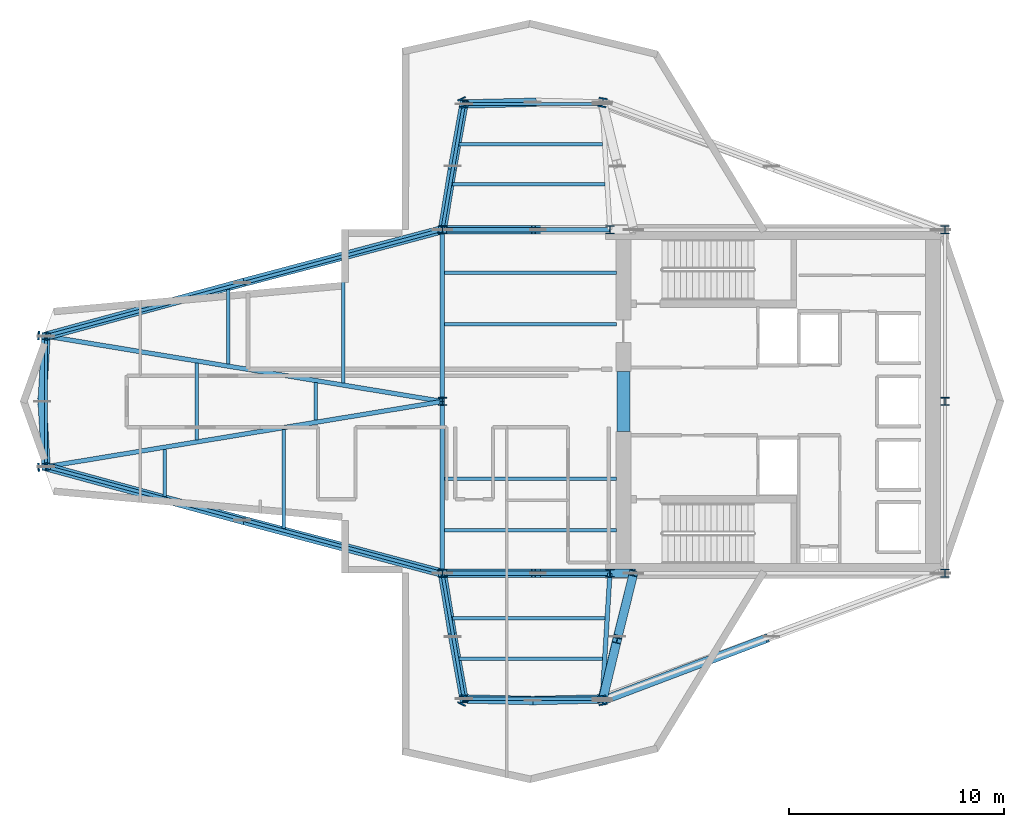
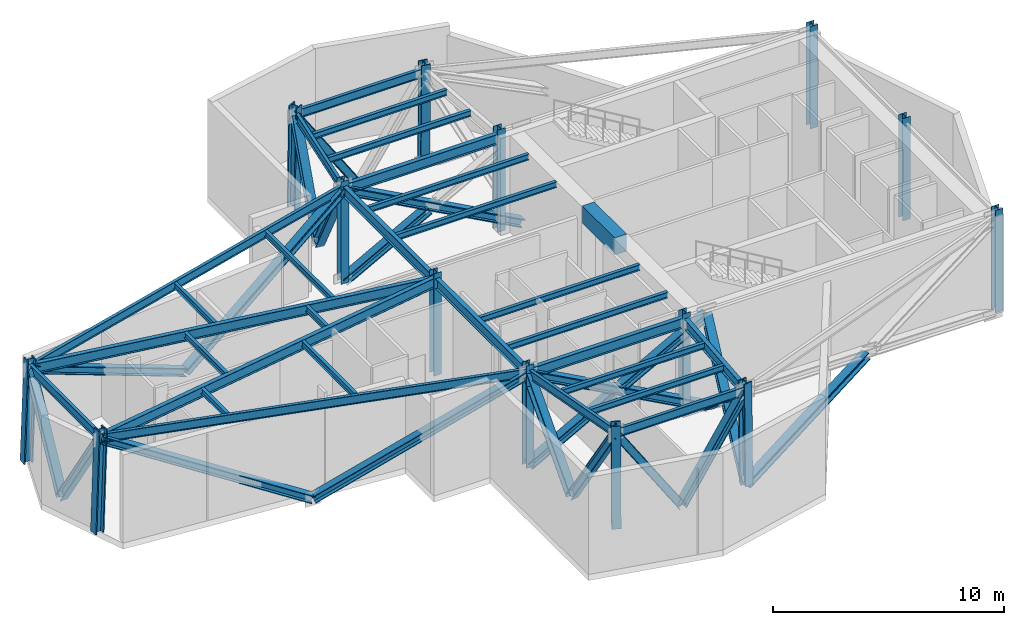
# One storey, part 1 of 5: 29 beams, 22 members, 14 columns.
"""IFC4 building model written with IfcOpenShell, lengths in metres."""

from ifc_helpers import new_model, si_unit, direction, frame, origin, origin_2d, place, context, subcontext, project, spatial, rectangle, i_section, extrude, material, material_profile, profile_set, type_object, element, save


model = new_model("IFC4")

# Units and contexts
model_context = context("Model", 3, precision=1e-05, world=origin(), true_north=direction((0.0, 1.0)))
body_context = subcontext(model_context, "Body", "Model", "MODEL_VIEW")
ifc_project = project(units=[si_unit("LENGTHUNIT", "METRE"), si_unit("AREAUNIT", "SQUARE_METRE"), si_unit("VOLUMEUNIT", "CUBIC_METRE"), si_unit("PLANEANGLEUNIT", "RADIAN"), si_unit("MASSUNIT", "GRAM", prefix="KILO")], contexts=[model_context])

# Site, building, storey
site_placement = place(None, origin())
site = spatial("IfcSite", under=ifc_project, at=site_placement, CompositionType="ELEMENT")
building_placement = place(site_placement, origin())
building = spatial("IfcBuilding", under=site, at=building_placement, Name="Veymaron Broadcast Tower", CompositionType="ELEMENT")
storey_placement = place(building_placement, frame((0.0, 0.0, 181.64990234375)))
storey = spatial("IfcBuildingStorey", under=building, at=storey_placement, Name="L42", CompositionType="ELEMENT", Elevation=181.64990234375)

# Columns
ifc_material_1 = material(Name="Structural steel ASTM A992 Gr 50", Category="steel")
ifc_material_profile_1 = material_profile(ifc_material_1, i_section(OverallWidth=0.39404296875, OverallDepth=0.375, WebThickness=0.017333984375, FlangeThickness=0.027587890625, at=origin_2d()), Name="W360X216")
ifc_profile_set_1 = profile_set([ifc_material_profile_1], Name="Structural steel ASTM A992 Gr 50")
column_type_1 = type_object("IfcColumnType", Name="COL-HC3", PredefinedType="COLUMN", material=ifc_profile_set_1)
for number, where, z_axis, x_axis, name in (
    (1, (31.199951171875, 16.0, 0.0), (0.0, 0.0, 1.0), (1.0, 0.0, 0.0), "L42 structural hub and core column"),
    (2, (31.199951171875, 24.0, 0.0), (0.0, 0.0, 1.0), (1.0, 0.0, 0.0), "L42 structural hub and core column"),
    (3, (31.199951171875, 32.0, 0.0), (0.0, 0.0, 1.0), (1.0, 0.0, 0.0), "L42 structural hub and core column"),
    (4, (39.0, 16.0, 0.0), (0.0, 0.0, 1.0), (1.0, 0.0, 0.0), "L42 structural hub and core column"),
    (5, (39.0, 32.0, 0.0), (0.0, 0.0, 1.0), (1.0, 0.0, 0.0), "L42 structural hub and core column"),
    (6, (54.60009765625, 16.0, 0.0), (0.0, 0.0, 1.0), (1.0, 0.0, 0.0), "L42 structural hub and core column"),
    (7, (54.60009765625, 24.0, 0.0), (0.0, 0.0, 1.0), (1.0, 0.0, 0.0), "L42 structural hub and core column"),
    (8, (54.60009765625, 32.0, 0.0), (0.0, 0.0, 1.0), (1.0, 0.0, 0.0), "L42 structural hub and core column"),
):
    element("IfcColumn", number, at=place(storey_placement, frame(where, z_axis=z_axis, x_axis=x_axis)), inside=storey, type_object=column_type_1, Name=name, PredefinedType="COLUMN", context=body_context, shape_type="SweptSolid", body=[
        extrude(i_section(OverallWidth=0.39404296875, OverallDepth=0.375, WebThickness=0.017333984375, FlangeThickness=0.027587890625, at=origin_2d()), origin(), (0.0, 0.0, 1.0), 5.39404296875),
    ])
ifc_material_2 = material(Name="Structural steel ASTM A913 Gr 65", Category="steel")
ifc_material_profile_2 = material_profile(ifc_material_2, i_section(OverallWidth=0.412109375, OverallDepth=0.43505859375, WebThickness=0.035888671875, FlangeThickness=0.05810546875, at=origin_2d()), Name="W360X463")
ifc_profile_set_2 = profile_set([ifc_material_profile_2], Name="Structural steel ASTM A913 Gr 65")
column_type_2 = type_object("IfcColumnType", Name="COL-MC3", PredefinedType="COLUMN", material=ifc_profile_set_2)
for number, where, z_axis, x_axis, name in (
    (9, (12.56103515625, 20.945068359375, 0.01611328125), (0.033410084839, 0.00240916258, 0.999438823624), (-0.071922099832, 0.997410252382, 0.0), "L42 Tapered Wing Mega Column"),
    (10, (12.56103515625, 27.054931640625, 0.01611328125), (0.033410084839, -0.00240916258, 0.999438823624), (0.071922099832, 0.997410252382, 0.0), "L42 Tapered Wing Mega Column"),
):
    element("IfcColumn", number, at=place(storey_placement, frame(where, z_axis=z_axis, x_axis=x_axis)), inside=storey, type_object=column_type_2, Name=name, PredefinedType="COLUMN", context=body_context, shape_type="SweptSolid", body=[
        extrude(i_section(OverallWidth=0.412109375, OverallDepth=0.43505859375, WebThickness=0.035888671875, FlangeThickness=0.05810546875, at=origin_2d()), origin(), (0.0, 0.0, 1.0), 5.370849609375),
    ])
column_1_placement = place(storey_placement, frame((32.166015625, 37.929931640625, 0.01611328125), z_axis=(0.006775863018, -0.014506713441, 0.999871813257), x_axis=(0.90603796466, 0.423196416095, 0.0)))
element("IfcColumn", 11, at=column_1_placement, inside=storey, type_object=column_type_2, Name="L42 Tapered Wing Mega Column", PredefinedType="COLUMN", context=body_context, shape_type="SweptSolid", body=[
    extrude(i_section(OverallWidth=0.412109375, OverallDepth=0.43505859375, WebThickness=0.035888671875, FlangeThickness=0.05810546875, at=origin_2d()), origin(), (0.0, 0.0, 1.0), 5.36865234375),
])
column_2_placement = place(storey_placement, frame((38.655029296875, 37.929931640625, 0.01611328125), z_axis=(-0.002410254638, -0.014507004333, 0.999891862902), x_axis=(0.98647737489, -0.163897494888, 0.0)))
element("IfcColumn", 12, at=column_2_placement, inside=storey, type_object=column_type_2, Name="L42 Tapered Wing Mega Column", PredefinedType="COLUMN", context=body_context, shape_type="SweptSolid", body=[
    extrude(i_section(OverallWidth=0.412109375, OverallDepth=0.43505859375, WebThickness=0.035888671875, FlangeThickness=0.05810546875, at=origin_2d()), origin(), (0.0, 0.0, 1.0), 5.368408203125),
])
column_3_placement = place(storey_placement, frame((32.166015625, 10.070068359375, 0.01611328125), z_axis=(0.006775863018, 0.014506713441, 0.999871813257), x_axis=(-0.90603796466, 0.423196416095, 0.0)))
element("IfcColumn", 13, at=column_3_placement, inside=storey, type_object=column_type_2, Name="L42 Tapered Wing Mega Column", PredefinedType="COLUMN", context=body_context, shape_type="SweptSolid", body=[
    extrude(i_section(OverallWidth=0.412109375, OverallDepth=0.43505859375, WebThickness=0.035888671875, FlangeThickness=0.05810546875, at=origin_2d()), origin(), (0.0, 0.0, 1.0), 5.36865234375),
])
column_4_placement = place(storey_placement, frame((38.655029296875, 10.070068359375, 0.01611328125), z_axis=(-0.002410254638, 0.014507004333, 0.999891862902), x_axis=(-0.98647737489, -0.163897494888, 0.0)))
element("IfcColumn", 14, at=column_4_placement, inside=storey, type_object=column_type_2, Name="L42 Tapered Wing Mega Column", PredefinedType="COLUMN", context=body_context, shape_type="SweptSolid", body=[
    extrude(i_section(OverallWidth=0.412109375, OverallDepth=0.43505859375, WebThickness=0.035888671875, FlangeThickness=0.05810546875, at=origin_2d()), origin(), (0.0, 0.0, 1.0), 5.368408203125),
])

# Beams
ifc_material_3 = material(Name="Concrete C60/75", Category="concrete")
ifc_material_profile_3 = material_profile(ifc_material_3, rectangle(XDim=0.60009765625, YDim=0.89990234375, at=origin_2d()), Name="RC600X900")
ifc_profile_set_3 = profile_set([ifc_material_profile_3], Name="Concrete C60/75")
beam_type_1 = type_object("IfcBeamType", Name="BM-CB2", PredefinedType="LINTEL", material=ifc_profile_set_3)
beam_1_placement = place(storey_placement, frame((39.6298828125, 22.60009765625, 4.670166015625), z_axis=(0.0, 1.0, 0.0), x_axis=(-1.0, 0.0, 0.0)))
element("IfcBeam", 15, at=beam_1_placement, inside=storey, type_object=beam_type_1, Name="L42 Core Wall west coupling beam", PredefinedType="LINTEL", context=body_context, shape_type="SweptSolid", body=[
    extrude(rectangle(XDim=0.60009765625, YDim=0.89990234375, at=origin_2d()), origin(), (0.0, 0.0, 1.0), 2.7998046875),
])
ifc_material_profile_4 = material_profile(ifc_material_1, i_section(OverallWidth=0.2099609375, OverallDepth=0.537109375, WebThickness=0.010986328125, FlangeThickness=0.017333984375, at=origin_2d()), Name="W530X101")
ifc_profile_set_4 = profile_set([ifc_material_profile_4], Name="Structural steel ASTM A992 Gr 50")
beam_type_2 = type_object("IfcBeamType", Name="BM-FG3", PredefinedType="BEAM", material=ifc_profile_set_4)
for number, where, z_axis, x_axis, name in (
    (16, (31.199951171875, 16.0, 4.8515625), (0.0, 1.0, 0.0), (-1.0, 0.0, 0.0), "L42 primary structural floor girder"),
    (17, (31.199951171875, 24.0, 4.8515625), (0.0, 1.0, 0.0), (-1.0, 0.0, 0.0), "L42 primary structural floor girder"),
):
    element("IfcBeam", number, at=place(storey_placement, frame(where, z_axis=z_axis, x_axis=x_axis)), inside=storey, type_object=beam_type_2, Name=name, PredefinedType="BEAM", context=body_context, shape_type="SweptSolid", body=[
        extrude(i_section(OverallWidth=0.2099609375, OverallDepth=0.537109375, WebThickness=0.010986328125, FlangeThickness=0.017333984375, at=origin_2d()), origin(), (0.0, 0.0, 1.0), 8.0),
    ])
for number, where, z_axis, x_axis, name in (
    (18, (31.199951171875, 16.0, 4.8515625), (1.0, 0.0, 0.0), (0.0, 1.0, 0.0), "L42 primary structural floor girder"),
    (19, (31.199951171875, 32.0, 4.8515625), (1.0, 0.0, 0.0), (0.0, 1.0, 0.0), "L42 primary structural floor girder"),
):
    element("IfcBeam", number, at=place(storey_placement, frame(where, z_axis=z_axis, x_axis=x_axis)), inside=storey, type_object=beam_type_2, Name=name, PredefinedType="BEAM", context=body_context, shape_type="SweptSolid", body=[
        extrude(i_section(OverallWidth=0.2099609375, OverallDepth=0.537109375, WebThickness=0.010986328125, FlangeThickness=0.017333984375, at=origin_2d()), origin(), (0.0, 0.0, 1.0), 7.800048828125),
    ])
for number, where, z_axis, x_axis, name in (
    (20, (12.740478515625, 20.9580078125, 4.8515625), (0.986692075464, 0.162599963765, 0.0), (-0.162599963765, 0.986692075464, 0.0), "L42 primary structural floor girder"),
    (21, (12.740478515625, 27.0419921875, 4.8515625), (0.986692075464, -0.162599963765, 0.0), (0.162599963765, 0.986692075464, 0.0), "L42 primary structural floor girder"),
):
    element("IfcBeam", number, at=place(storey_placement, frame(where, z_axis=z_axis, x_axis=x_axis)), inside=storey, type_object=beam_type_2, Name=name, PredefinedType="BEAM", context=body_context, shape_type="SweptSolid", body=[
        extrude(i_section(OverallWidth=0.2099609375, OverallDepth=0.537109375, WebThickness=0.010986328125, FlangeThickness=0.017333984375, at=origin_2d()), origin(), (0.0, 0.0, 1.0), 18.70849609375),
    ])
beam_2_placement = place(storey_placement, frame((39.0, 16.0, 4.8515625), z_axis=(-0.061045718291, -0.998134970973, 0.0), x_axis=(0.998134970973, -0.061045718291, 0.0)))
element("IfcBeam", 22, at=beam_2_placement, inside=storey, type_object=beam_type_2, Name="L42 primary structural floor girder", PredefinedType="BEAM", context=body_context, shape_type="SweptSolid", body=[
    extrude(i_section(OverallWidth=0.2099609375, OverallDepth=0.537109375, WebThickness=0.010986328125, FlangeThickness=0.017333984375, at=origin_2d()), origin(), (0.0, 0.0, 1.0), 5.863037109375),
])
ifc_material_profile_5 = material_profile(ifc_material_1, i_section(OverallWidth=0.1650390625, OverallDepth=0.31005859375, WebThickness=0.005859375, FlangeThickness=0.009765625, at=origin_2d()), Name="W310X39")
ifc_profile_set_5 = profile_set([ifc_material_profile_5], Name="Structural steel ASTM A992 Gr 50")
beam_type_3 = type_object("IfcBeamType", Name="BM-JS3", PredefinedType="JOIST", material=ifc_profile_set_5)
beam_3_placement = place(storey_placement, frame((18.2783203125, 19.570556640625, 4.965087890625), z_axis=(0.0, 1.0, 0.0), x_axis=(-1.0, 0.0, 0.0)))
element("IfcBeam", 23, at=beam_3_placement, inside=storey, type_object=beam_type_3, Name="L42 Arm-A secondary joist 1S", PredefinedType="JOIST", context=body_context, shape_type="SweptSolid", body=[
    extrude(i_section(OverallWidth=0.1650390625, OverallDepth=0.31005859375, WebThickness=0.005859375, FlangeThickness=0.009765625, at=origin_2d()), origin(), (0.0, 0.0, 1.0), 2.199951171875),
])
beam_4_placement = place(storey_placement, frame((19.7548828125, 22.214111328125, 4.965087890625), z_axis=(0.0, 1.0, 0.0), x_axis=(-1.0, 0.0, 0.0)))
element("IfcBeam", 24, at=beam_4_placement, inside=storey, type_object=beam_type_3, Name="L42 Arm-A secondary joist 1M", PredefinedType="JOIST", context=body_context, shape_type="SweptSolid", body=[
    extrude(i_section(OverallWidth=0.1650390625, OverallDepth=0.31005859375, WebThickness=0.005859375, FlangeThickness=0.009765625, at=origin_2d()), origin(), (0.0, 0.0, 1.0), 3.57177734375),
])
beam_5_placement = place(storey_placement, frame((21.231689453125, 25.74267578125, 4.965087890625), z_axis=(0.0, 1.0, 0.0), x_axis=(-1.0, 0.0, 0.0)))
element("IfcBeam", 25, at=beam_5_placement, inside=storey, type_object=beam_type_3, Name="L42 Arm-A secondary joist 1N", PredefinedType="JOIST", context=body_context, shape_type="SweptSolid", body=[
    extrude(i_section(OverallWidth=0.1650390625, OverallDepth=0.31005859375, WebThickness=0.005859375, FlangeThickness=0.009765625, at=origin_2d()), origin(), (0.0, 0.0, 1.0), 3.47998046875),
])
beam_6_placement = place(storey_placement, frame((23.816162109375, 18.083251953125, 4.965087890625), z_axis=(0.0, 1.0, 0.0), x_axis=(-1.0, 0.0, 0.0)))
element("IfcBeam", 26, at=beam_6_placement, inside=storey, type_object=beam_type_3, Name="L42 Arm-A secondary joist 2S", PredefinedType="JOIST", context=body_context, shape_type="SweptSolid", body=[
    extrude(i_section(OverallWidth=0.1650390625, OverallDepth=0.31005859375, WebThickness=0.005859375, FlangeThickness=0.009765625, at=origin_2d()), origin(), (0.0, 0.0, 1.0), 4.599853515625),
])
beam_7_placement = place(storey_placement, frame((25.29296875, 23.126708984375, 4.965087890625), z_axis=(0.0, 1.0, 0.0), x_axis=(-1.0, 0.0, 0.0)))
element("IfcBeam", 27, at=beam_7_placement, inside=storey, type_object=beam_type_3, Name="L42 Arm-A secondary joist 2M", PredefinedType="JOIST", context=body_context, shape_type="SweptSolid", body=[
    extrude(i_section(OverallWidth=0.1650390625, OverallDepth=0.31005859375, WebThickness=0.005859375, FlangeThickness=0.009765625, at=origin_2d()), origin(), (0.0, 0.0, 1.0), 1.74658203125),
])
beam_8_placement = place(storey_placement, frame((26.585205078125, 24.860595703125, 4.965087890625), z_axis=(0.0, 1.0, 0.0), x_axis=(-1.0, 0.0, 0.0)))
element("IfcBeam", 28, at=beam_8_placement, inside=storey, type_object=beam_type_3, Name="L42 Arm-A secondary joist 2N", PredefinedType="JOIST", context=body_context, shape_type="SweptSolid", body=[
    extrude(i_section(OverallWidth=0.1650390625, OverallDepth=0.31005859375, WebThickness=0.005859375, FlangeThickness=0.009765625, at=origin_2d()), origin(), (0.0, 0.0, 1.0), 5.7998046875),
])
beam_9_placement = place(storey_placement, frame((31.660888671875, 34.106689453125, 4.965087890625), z_axis=(1.0, 0.0, 0.0), x_axis=(0.0, 1.0, 0.0)))
element("IfcBeam", 29, at=beam_9_placement, inside=storey, type_object=beam_type_3, Name="L42 Arm-B secondary joist 1", PredefinedType="JOIST", context=body_context, shape_type="SweptSolid", body=[
    extrude(i_section(OverallWidth=0.1650390625, OverallDepth=0.31005859375, WebThickness=0.005859375, FlangeThickness=0.009765625, at=origin_2d()), origin(), (0.0, 0.0, 1.0), 7.110107421875),
])
beam_10_placement = place(storey_placement, frame((31.981689453125, 35.9794921875, 4.965087890625), z_axis=(1.0, 0.0, 0.0), x_axis=(0.0, 1.0, 0.0)))
element("IfcBeam", 30, at=beam_10_placement, inside=storey, type_object=beam_type_3, Name="L42 Arm-B secondary joist 2", PredefinedType="JOIST", context=body_context, shape_type="SweptSolid", body=[
    extrude(i_section(OverallWidth=0.1650390625, OverallDepth=0.31005859375, WebThickness=0.005859375, FlangeThickness=0.009765625, at=origin_2d()), origin(), (0.0, 0.0, 1.0), 6.6748046875),
])
beam_11_placement = place(storey_placement, frame((31.660888671875, 13.893310546875, 4.965087890625), z_axis=(1.0, 0.0, 0.0), x_axis=(0.0, 1.0, 0.0)))
element("IfcBeam", 31, at=beam_11_placement, inside=storey, type_object=beam_type_3, Name="L42 Arm-C secondary joist 1", PredefinedType="JOIST", context=body_context, shape_type="SweptSolid", body=[
    extrude(i_section(OverallWidth=0.1650390625, OverallDepth=0.31005859375, WebThickness=0.005859375, FlangeThickness=0.009765625, at=origin_2d()), origin(), (0.0, 0.0, 1.0), 7.110107421875),
])
beam_12_placement = place(storey_placement, frame((31.981689453125, 12.0205078125, 4.965087890625), z_axis=(1.0, 0.0, 0.0), x_axis=(0.0, 1.0, 0.0)))
element("IfcBeam", 32, at=beam_12_placement, inside=storey, type_object=beam_type_3, Name="L42 Arm-C secondary joist 2", PredefinedType="JOIST", context=body_context, shape_type="SweptSolid", body=[
    extrude(i_section(OverallWidth=0.1650390625, OverallDepth=0.31005859375, WebThickness=0.005859375, FlangeThickness=0.009765625, at=origin_2d()), origin(), (0.0, 0.0, 1.0), 6.6748046875),
])
for number, where, z_axis, x_axis, name in (
    (33, (31.300048828125, 18.0, 4.965087890625), (1.0, 0.0, 0.0), (0.0, 1.0, 0.0), "L42 Hub secondary joist 1"),
    (34, (31.300048828125, 20.39990234375, 4.965087890625), (1.0, 0.0, 0.0), (0.0, 1.0, 0.0), "L42 Hub secondary joist 2"),
    (35, (31.300048828125, 27.60009765625, 4.965087890625), (1.0, 0.0, 0.0), (0.0, 1.0, 0.0), "L42 Hub secondary joist 3"),
    (36, (31.300048828125, 30.0, 4.965087890625), (1.0, 0.0, 0.0), (0.0, 1.0, 0.0), "L42 Hub secondary joist 4"),
):
    element("IfcBeam", number, at=place(storey_placement, frame(where, z_axis=z_axis, x_axis=x_axis)), inside=storey, type_object=beam_type_3, Name=name, PredefinedType="JOIST", context=body_context, shape_type="SweptSolid", body=[
        extrude(i_section(OverallWidth=0.1650390625, OverallDepth=0.31005859375, WebThickness=0.005859375, FlangeThickness=0.009765625, at=origin_2d()), origin(), (0.0, 0.0, 1.0), 8.0),
    ])
ifc_material_profile_6 = material_profile(ifc_material_1, i_section(OverallWidth=0.154052734375, OverallDepth=0.458984375, WebThickness=0.009033203125, FlangeThickness=0.015380859375, at=origin_2d()), Name="W460X68")
ifc_profile_set_6 = profile_set([ifc_material_profile_6], Name="Structural steel ASTM A992 Gr 50")
beam_type_4 = type_object("IfcBeamType", Name="BM-SP2", PredefinedType="SPANDREL", material=ifc_profile_set_6)
for number, where, z_axis, x_axis, name in (
    (37, (12.740478515625, 20.9580078125, 4.890625), (0.96577122304, -0.259395344498, 0.0), (0.259395344498, 0.96577122304, 0.0), "L42 primary structural floor girder"),
    (38, (12.740478515625, 27.0419921875, 4.890625), (0.96577122304, 0.259395344498, 0.0), (-0.259395344498, 0.96577122304, 0.0), "L42 primary structural floor girder"),
):
    element("IfcBeam", number, at=place(storey_placement, frame(where, z_axis=z_axis, x_axis=x_axis)), inside=storey, type_object=beam_type_4, Name=name, PredefinedType="SPANDREL", context=body_context, shape_type="SweptSolid", body=[
        extrude(i_section(OverallWidth=0.154052734375, OverallDepth=0.458984375, WebThickness=0.009033203125, FlangeThickness=0.015380859375, at=origin_2d()), origin(), (0.0, 0.0, 1.0), 19.11376953125),
    ])
beam_13_placement = place(storey_placement, frame((12.740478515625, 20.9580078125, 4.890625), z_axis=(0.0, 1.0, 0.0), x_axis=(-1.0, 0.0, 0.0)))
element("IfcBeam", 39, at=beam_13_placement, inside=storey, type_object=beam_type_4, Name="L42 primary structural floor girder", PredefinedType="SPANDREL", context=body_context, shape_type="SweptSolid", body=[
    extrude(i_section(OverallWidth=0.154052734375, OverallDepth=0.458984375, WebThickness=0.009033203125, FlangeThickness=0.015380859375, at=origin_2d()), origin(), (0.0, 0.0, 1.0), 6.083984375),
])
beam_14_placement = place(storey_placement, frame((31.199951171875, 32.0, 4.890625), z_axis=(0.16883826927, 0.985643768727, 0.0), x_axis=(-0.985643768727, 0.16883826927, 0.0)))
element("IfcBeam", 40, at=beam_14_placement, inside=storey, type_object=beam_type_4, Name="L42 primary structural floor girder", PredefinedType="SPANDREL", context=body_context, shape_type="SweptSolid", body=[
    extrude(i_section(OverallWidth=0.154052734375, OverallDepth=0.458984375, WebThickness=0.009033203125, FlangeThickness=0.015380859375, at=origin_2d()), origin(), (0.0, 0.0, 1.0), 5.937255859375),
])
beam_15_placement = place(storey_placement, frame((32.202392578125, 37.85205078125, 4.890625), z_axis=(1.0, 0.0, 0.0), x_axis=(0.0, 1.0, 0.0)))
element("IfcBeam", 41, at=beam_15_placement, inside=storey, type_object=beam_type_4, Name="L42 primary structural floor girder", PredefinedType="SPANDREL", context=body_context, shape_type="SweptSolid", body=[
    extrude(i_section(OverallWidth=0.154052734375, OverallDepth=0.458984375, WebThickness=0.009033203125, FlangeThickness=0.015380859375, at=origin_2d()), origin(), (0.0, 0.0, 1.0), 6.439697265625),
])
beam_16_placement = place(storey_placement, frame((31.199951171875, 16.0, 4.890625), z_axis=(0.16883826927, -0.985643768727, 0.0), x_axis=(0.985643768727, 0.16883826927, 0.0)))
element("IfcBeam", 42, at=beam_16_placement, inside=storey, type_object=beam_type_4, Name="L42 primary structural floor girder", PredefinedType="SPANDREL", context=body_context, shape_type="SweptSolid", body=[
    extrude(i_section(OverallWidth=0.154052734375, OverallDepth=0.458984375, WebThickness=0.009033203125, FlangeThickness=0.015380859375, at=origin_2d()), origin(), (0.0, 0.0, 1.0), 5.937255859375),
])
beam_17_placement = place(storey_placement, frame((32.202392578125, 10.14794921875, 4.890625), z_axis=(1.0, 0.0, 0.0), x_axis=(0.0, 1.0, 0.0)))
element("IfcBeam", 43, at=beam_17_placement, inside=storey, type_object=beam_type_4, Name="L42 primary structural floor girder", PredefinedType="SPANDREL", context=body_context, shape_type="SweptSolid", body=[
    extrude(i_section(OverallWidth=0.154052734375, OverallDepth=0.458984375, WebThickness=0.009033203125, FlangeThickness=0.015380859375, at=origin_2d()), origin(), (0.0, 0.0, 1.0), 6.439697265625),
])

# Members
ifc_material_profile_7 = material_profile(ifc_material_1, i_section(OverallWidth=0.39794921875, OverallDepth=0.386962890625, WebThickness=0.02099609375, FlangeThickness=0.033203125, at=origin_2d()), Name="W360X262")
ifc_profile_set_7 = profile_set([ifc_material_profile_7], Name="Structural steel ASTM A992 Gr 50")
member_type_1 = type_object("IfcMemberType", Name="MEM-BT2", PredefinedType="BRACE", material=ifc_profile_set_7)
for number, where, z_axis, x_axis, name in (
    (44, (12.56103515625, 24.0, 0.02001953125), (0.031327698283, -0.531079075647, 0.846742930723), (0.998264690282, 0.058886400269, 0.0), "L42 Belt Truss perimeter diagonal L"),
    (45, (12.56103515625, 24.0, 0.02001953125), (0.031327698283, 0.531079075647, 0.846742930723), (-0.998264690282, 0.058886400269, 0.0), "L42 Belt Truss perimeter diagonal R"),
):
    element("IfcMember", number, at=place(storey_placement, frame(where, z_axis=z_axis, x_axis=x_axis)), inside=storey, type_object=member_type_1, Name=name, PredefinedType="BRACE", context=body_context, shape_type="SweptSolid", body=[
        extrude(i_section(OverallWidth=0.39794921875, OverallDepth=0.386962890625, WebThickness=0.02099609375, FlangeThickness=0.033203125, at=origin_2d()), origin(), (0.0, 0.0, 1.0), 5.72802734375),
    ])
for number, where, z_axis, x_axis, name in (
    (46, (35.410400390625, 37.929931640625, 0.02001953125), (-0.551624195273, -0.013391789824, 0.833985255958), (0.024269865788, -0.999705443426, 0.0), "L42 Belt Truss perimeter diagonal L"),
    (47, (35.410400390625, 10.070068359375, 0.02001953125), (-0.551624195273, 0.013391789824, 0.833985255958), (-0.024269865788, -0.999705443426, 0.0), "L42 Belt Truss perimeter diagonal L"),
):
    element("IfcMember", number, at=place(storey_placement, frame(where, z_axis=z_axis, x_axis=x_axis)), inside=storey, type_object=member_type_1, Name=name, PredefinedType="BRACE", context=body_context, shape_type="SweptSolid", body=[
        extrude(i_section(OverallWidth=0.39794921875, OverallDepth=0.386962890625, WebThickness=0.02099609375, FlangeThickness=0.033203125, at=origin_2d()), origin(), (0.0, 0.0, 1.0), 5.815673828125),
    ])
member_1_placement = place(storey_placement, frame((35.410400390625, 10.070068359375, 0.02001953125), z_axis=(0.554447673822, 0.013361698871, 0.832111315869), x_axis=(-0.02409212117, 0.999709742724, 0.0)))
element("IfcMember", 48, at=member_1_placement, inside=storey, type_object=member_type_1, Name="L42 Belt Truss perimeter diagonal R", PredefinedType="BRACE", context=body_context, shape_type="SweptSolid", body=[
    extrude(i_section(OverallWidth=0.39794921875, OverallDepth=0.386962890625, WebThickness=0.02099609375, FlangeThickness=0.033203125, at=origin_2d()), origin(), (0.0, 0.0, 1.0), 5.82861328125),
])
member_2_placement = place(storey_placement, frame((21.880615234375, 29.527587890625, 0.02001953125), z_axis=(-0.858905936278, -0.233573410365, 0.455767544476), x_axis=(0.262412891473, -0.964955685194, 0.0)))
element("IfcMember", 49, at=member_2_placement, inside=storey, type_object=member_type_1, Name="L42 Belt Truss perimeter diagonal L", PredefinedType="BRACE", context=body_context, shape_type="SweptSolid", body=[
    extrude(i_section(OverallWidth=0.39794921875, OverallDepth=0.386962890625, WebThickness=0.02099609375, FlangeThickness=0.033203125, at=origin_2d()), origin(), (0.0, 0.0, 1.0), 10.6416015625),
])
member_3_placement = place(storey_placement, frame((21.880615234375, 29.527587890625, 0.02001953125), z_axis=(0.86347060618, 0.229078037011, 0.449379311075), x_axis=(-0.256428422893, 0.966563222936, 0.0)))
element("IfcMember", 50, at=member_3_placement, inside=storey, type_object=member_type_1, Name="L42 Belt Truss perimeter diagonal R", PredefinedType="BRACE", context=body_context, shape_type="SweptSolid", body=[
    extrude(i_section(OverallWidth=0.39794921875, OverallDepth=0.386962890625, WebThickness=0.02099609375, FlangeThickness=0.033203125, at=origin_2d()), origin(), (0.0, 0.0, 1.0), 10.79296875),
])
member_4_placement = place(storey_placement, frame((21.880615234375, 18.472412109375, 0.02001953125), z_axis=(-0.858905936278, 0.233573410365, 0.455767544476), x_axis=(-0.262412891473, -0.964955685194, 0.0)))
element("IfcMember", 51, at=member_4_placement, inside=storey, type_object=member_type_1, Name="L42 Belt Truss perimeter diagonal L", PredefinedType="BRACE", context=body_context, shape_type="SweptSolid", body=[
    extrude(i_section(OverallWidth=0.39794921875, OverallDepth=0.386962890625, WebThickness=0.02099609375, FlangeThickness=0.033203125, at=origin_2d()), origin(), (0.0, 0.0, 1.0), 10.6416015625),
])
member_5_placement = place(storey_placement, frame((21.880615234375, 18.472412109375, 0.02001953125), z_axis=(0.86347060618, -0.229078037011, 0.449379311075), x_axis=(0.256428422893, 0.966563222936, 0.0)))
element("IfcMember", 52, at=member_5_placement, inside=storey, type_object=member_type_1, Name="L42 Belt Truss perimeter diagonal R", PredefinedType="BRACE", context=body_context, shape_type="SweptSolid", body=[
    extrude(i_section(OverallWidth=0.39794921875, OverallDepth=0.386962890625, WebThickness=0.02099609375, FlangeThickness=0.033203125, at=origin_2d()), origin(), (0.0, 0.0, 1.0), 10.79296875),
])
member_6_placement = place(storey_placement, frame((31.68310546875, 34.965087890625, 0.02001953125), z_axis=(-0.084687532491, -0.519722123348, 0.850127600036), x_axis=(0.98698268145, -0.160826572795, 0.0)))
element("IfcMember", 53, at=member_6_placement, inside=storey, type_object=member_type_1, Name="L42 Belt Truss perimeter diagonal L", PredefinedType="BRACE", context=body_context, shape_type="SweptSolid", body=[
    extrude(i_section(OverallWidth=0.39794921875, OverallDepth=0.386962890625, WebThickness=0.02099609375, FlangeThickness=0.033203125, at=origin_2d()), origin(), (0.0, 0.0, 1.0), 5.705078125),
])
member_7_placement = place(storey_placement, frame((31.68310546875, 34.965087890625, 0.02001953125), z_axis=(0.091615295532, 0.509332801912, 0.855679107213), x_axis=(-0.984205083627, 0.177032068742, 0.0)))
element("IfcMember", 54, at=member_7_placement, inside=storey, type_object=member_type_1, Name="L42 Belt Truss perimeter diagonal R", PredefinedType="BRACE", context=body_context, shape_type="SweptSolid", body=[
    extrude(i_section(OverallWidth=0.39794921875, OverallDepth=0.386962890625, WebThickness=0.02099609375, FlangeThickness=0.033203125, at=origin_2d()), origin(), (0.0, 0.0, 1.0), 5.668212890625),
])
member_8_placement = place(storey_placement, frame((31.68310546875, 13.034912109375, 0.02001953125), z_axis=(-0.084687532491, 0.519722123348, 0.850127600036), x_axis=(-0.98698268145, -0.160826572795, 0.0)))
element("IfcMember", 55, at=member_8_placement, inside=storey, type_object=member_type_1, Name="L42 Belt Truss perimeter diagonal L", PredefinedType="BRACE", context=body_context, shape_type="SweptSolid", body=[
    extrude(i_section(OverallWidth=0.39794921875, OverallDepth=0.386962890625, WebThickness=0.02099609375, FlangeThickness=0.033203125, at=origin_2d()), origin(), (0.0, 0.0, 1.0), 5.705078125),
])
member_9_placement = place(storey_placement, frame((31.68310546875, 13.034912109375, 0.02001953125), z_axis=(0.091615295532, -0.509332801912, 0.855679107213), x_axis=(0.984205083627, 0.177032068742, 0.0)))
element("IfcMember", 56, at=member_9_placement, inside=storey, type_object=member_type_1, Name="L42 Belt Truss perimeter diagonal R", PredefinedType="BRACE", context=body_context, shape_type="SweptSolid", body=[
    extrude(i_section(OverallWidth=0.39794921875, OverallDepth=0.386962890625, WebThickness=0.02099609375, FlangeThickness=0.033203125, at=origin_2d()), origin(), (0.0, 0.0, 1.0), 5.668212890625),
])
ifc_material_profile_8 = material_profile(ifc_material_2, i_section(OverallWidth=0.406005859375, OverallDepth=0.416015625, WebThickness=0.02978515625, FlangeThickness=0.048095703125, at=origin_2d()), Name="W360X382")
ifc_profile_set_8 = profile_set([ifc_material_profile_8], Name="Structural steel ASTM A913 Gr 65")
member_type_2 = type_object("IfcMemberType", Name="MEM-OT2", PredefinedType="BRACE", material=ifc_profile_set_8)
member_10_placement = place(storey_placement, frame((40.10009765625, 32.0, 0.02001953125), z_axis=(-0.878083290184, 0.0, 0.478507821775), x_axis=(0.0, -1.0, 0.0)))
element("IfcMember", 57, at=member_10_placement, inside=storey, type_object=member_type_2, Name="L42 Outrigger continuous diagonal brace OT-NWA", PredefinedType="BRACE", context=body_context, shape_type="SweptSolid", body=[
    extrude(i_section(OverallWidth=0.406005859375, OverallDepth=0.416015625, WebThickness=0.02978515625, FlangeThickness=0.048095703125, at=origin_2d()), origin(), (0.0, 0.0, 1.0), 10.135986328125),
])
member_11_placement = place(storey_placement, frame((35.439208984375, 32.0, 2.330322265625), z_axis=(-0.878071376125, 0.0, -0.478529683959), x_axis=(0.0, -1.0, 0.0)))
element("IfcMember", 58, at=member_11_placement, inside=storey, type_object=member_type_2, Name="L42 Outrigger split diagonal lower segment OT-NWB2", PredefinedType="BRACE", context=body_context, shape_type="SweptSolid", body=[
    extrude(i_section(OverallWidth=0.406005859375, OverallDepth=0.416015625, WebThickness=0.02978515625, FlangeThickness=0.048095703125, at=origin_2d()), origin(), (0.0, 0.0, 1.0), 4.827880859375),
])
member_12_placement = place(storey_placement, frame((40.10009765625, 16.0, 0.02001953125), z_axis=(-0.878083290184, 0.0, 0.478507821775), x_axis=(0.0, -1.0, 0.0)))
element("IfcMember", 59, at=member_12_placement, inside=storey, type_object=member_type_2, Name="L42 Outrigger continuous diagonal brace OT-SWA", PredefinedType="BRACE", context=body_context, shape_type="SweptSolid", body=[
    extrude(i_section(OverallWidth=0.406005859375, OverallDepth=0.416015625, WebThickness=0.02978515625, FlangeThickness=0.048095703125, at=origin_2d()), origin(), (0.0, 0.0, 1.0), 10.135986328125),
])
member_13_placement = place(storey_placement, frame((40.10009765625, 16.0, 4.8701171875), z_axis=(-0.878082955067, 0.0, -0.478508436729), x_axis=(0.0, -1.0, 0.0)))
element("IfcMember", 60, at=member_13_placement, inside=storey, type_object=member_type_2, Name="L42 Outrigger split diagonal upper segment OT-SWB1", PredefinedType="BRACE", context=body_context, shape_type="SweptSolid", body=[
    extrude(i_section(OverallWidth=0.406005859375, OverallDepth=0.416015625, WebThickness=0.02978515625, FlangeThickness=0.048095703125, at=origin_2d()), origin(), (0.0, 0.0, 1.0), 4.828125),
])
member_14_placement = place(storey_placement, frame((35.439208984375, 16.0, 2.330322265625), z_axis=(-0.878071376125, 0.0, -0.478529683959), x_axis=(0.0, -1.0, 0.0)))
element("IfcMember", 61, at=member_14_placement, inside=storey, type_object=member_type_2, Name="L42 Outrigger split diagonal lower segment OT-SWB2", PredefinedType="BRACE", context=body_context, shape_type="SweptSolid", body=[
    extrude(i_section(OverallWidth=0.406005859375, OverallDepth=0.416015625, WebThickness=0.02978515625, FlangeThickness=0.048095703125, at=origin_2d()), origin(), (0.0, 0.0, 1.0), 4.827880859375),
])
member_15_placement = place(storey_placement, frame((40.10009765625, 16.0, 0.02001953125), z_axis=(-0.188391763364, -0.75615381243, 0.626689680339), x_axis=(0.970337448617, -0.241754494916, 0.0)))
element("IfcMember", 62, at=member_15_placement, inside=storey, type_object=member_type_2, Name="L42 Outrigger continuous diagonal brace OT-C2A", PredefinedType="BRACE", context=body_context, shape_type="SweptSolid", body=[
    extrude(i_section(OverallWidth=0.406005859375, OverallDepth=0.416015625, WebThickness=0.02978515625, FlangeThickness=0.048095703125, at=origin_2d()), origin(), (0.0, 0.0, 1.0), 7.7392578125),
])
member_16_placement = place(storey_placement, frame((40.10009765625, 16.0, 4.8701171875), z_axis=(-0.187006046433, -0.758275681647, -0.624537212038), x_axis=(0.970909713188, -0.239445878723, 0.0)))
element("IfcMember", 63, at=member_16_placement, inside=storey, type_object=member_type_2, Name="L42 Outrigger split diagonal upper segment OT-C2B1", PredefinedType="BRACE", context=body_context, shape_type="SweptSolid", body=[
    extrude(i_section(OverallWidth=0.406005859375, OverallDepth=0.416015625, WebThickness=0.02978515625, FlangeThickness=0.048095703125, at=origin_2d()), origin(), (0.0, 0.0, 1.0), 3.643798828125),
])
member_17_placement = place(storey_placement, frame((39.329833984375, 12.871826171875, 2.2958984375), z_axis=(-0.18376182888, -0.762970603557, -0.619764026347), x_axis=(0.972199356781, -0.234154672546, 0.0)))
element("IfcMember", 64, at=member_17_placement, inside=storey, type_object=member_type_2, Name="L42 Outrigger split diagonal lower segment OT-C2B2", PredefinedType="BRACE", context=body_context, shape_type="SweptSolid", body=[
    extrude(i_section(OverallWidth=0.406005859375, OverallDepth=0.416015625, WebThickness=0.02978515625, FlangeThickness=0.048095703125, at=origin_2d()), origin(), (0.0, 0.0, 1.0), 3.672119140625),
])
member_18_placement = place(storey_placement, frame((46.30859375, 12.97314453125, 2.378662109375), z_axis=(-0.898443731471, -0.340789001592, -0.276878525304), x_axis=(0.354654234121, -0.934997526318, 0.0)))
element("IfcMember", 65, at=member_18_placement, inside=storey, type_object=member_type_2, Name="L42 Outrigger split diagonal lower segment OT-CEB2", PredefinedType="BRACE", context=body_context, shape_type="SweptSolid", body=[
    extrude(i_section(OverallWidth=0.406005859375, OverallDepth=0.416015625, WebThickness=0.02978515625, FlangeThickness=0.048095703125, at=origin_2d()), origin(), (0.0, 0.0, 1.0), 8.518798828125),
])

save(model, "model.ifc")
